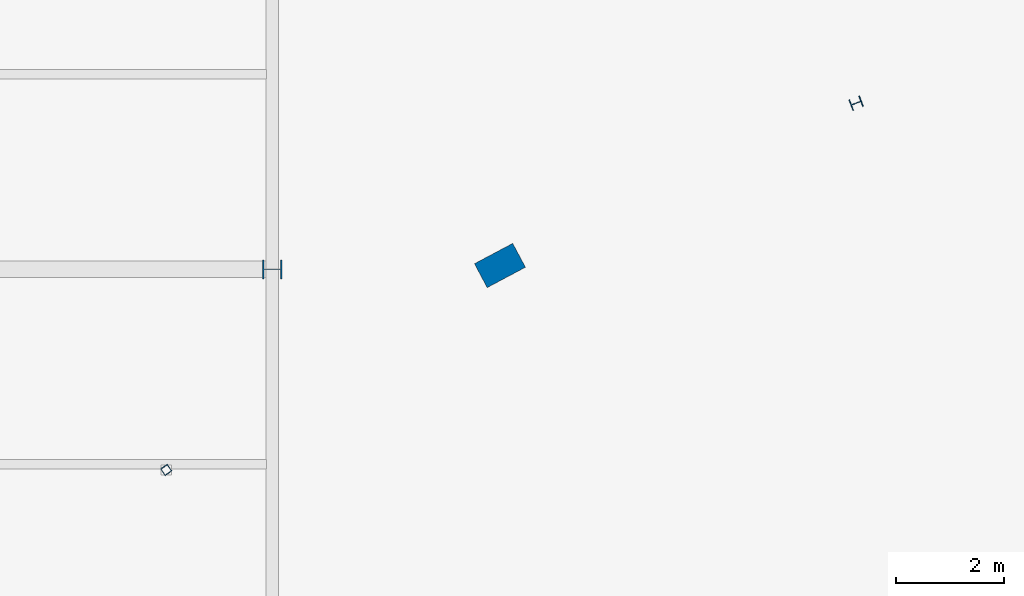
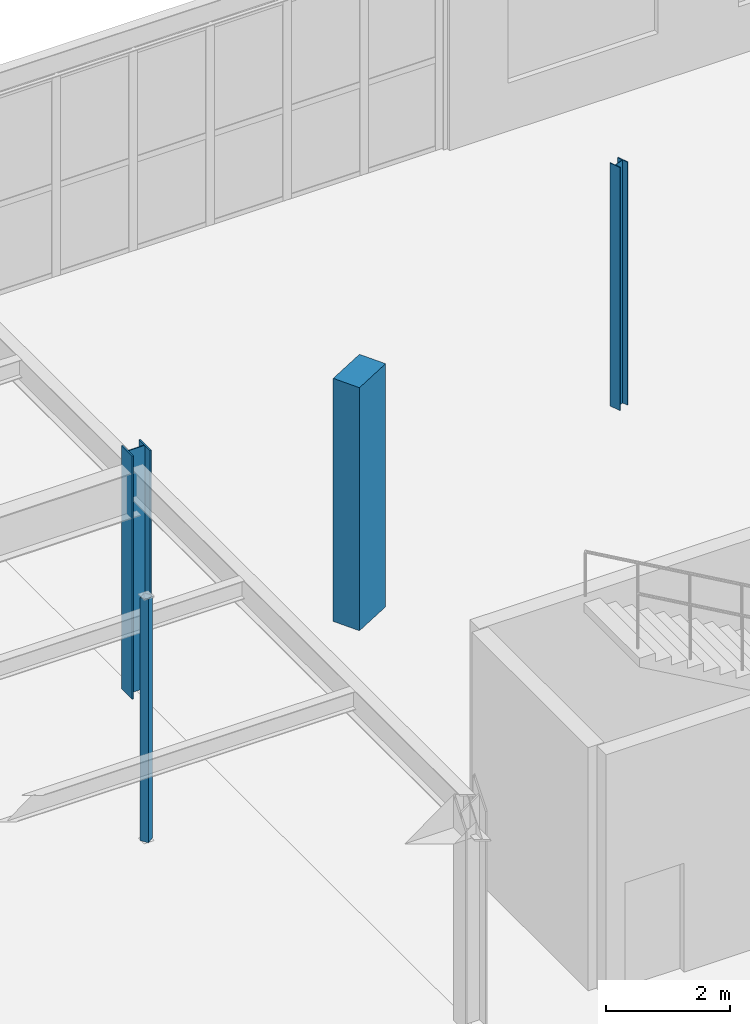
# One storey, part 32 of 199: 4 columns.
"""IFC4 building model written with IfcOpenShell, lengths in metres."""

import ifcopenshell
import ifcopenshell.guid

model = None  # the IFC model being written
_history = None  # IfcOwnerHistory: only IFC2X3 demands one
_inside = {}  # id of a spatial element -> (the spatial element, [elements in it])
_under = {}  # id of a project, library or spatial element -> (it, [spatial elements below it])
_declared = {}  # id of a project -> (the project, [libraries it declares])
_typed = {}  # id of a type object -> (the type object, [elements of that type])
_made_of = {}  # id of a material, layer set ... -> (it, [elements and type objects made of it])


def new_model(schema):
    """Start an empty IFC model of exactly this schema.

    Asked for "IFC4X3", IfcOpenShell would pick the latest addendum, in which some entities
    have other attributes; the version numbers below select the first issue.
    IFC2X3 requires an IfcOwnerHistory on every rooted entity: one is made here for all.
    """
    global model, _history
    if schema == "IFC4X3":
        model = ifcopenshell.file(schema_version=(4, 3, 0, 0))
    else:
        model = ifcopenshell.file(schema=schema)
    _inside.clear()
    _under.clear()
    _declared.clear()
    _typed.clear()
    _made_of.clear()
    _history = None
    if model.schema == "IFC2X3":
        org = make("IfcOrganization", Name="unknown")
        user = make(
            "IfcPersonAndOrganization",
            ThePerson=make("IfcPerson", FamilyName="unknown"),
            TheOrganization=org,
        )
        app = make(
            "IfcApplication",
            ApplicationDeveloper=org,
            Version="unknown",
            ApplicationFullName="unknown",
            ApplicationIdentifier="unknown",
        )
        _history = make(
            "IfcOwnerHistory",
            OwningUser=user,
            OwningApplication=app,
            ChangeAction="ADDED",
            CreationDate=0,
        )
    return model


def make(cls, **values):
    """One entity of the class cls with the attributes given. An attribute that is None is left unset."""
    return model.create_entity(
        cls, **{name: value for name, value in values.items() if value is not None}
    )


def rooted(cls, **values):
    """An entity with a GlobalId (a new one), such as an element, a storey or a relation."""
    return make(cls, GlobalId=ifcopenshell.guid.new(), OwnerHistory=_history, **values)


def si_unit(unit_type, name, prefix=None):
    """IfcSIUnit, for example si_unit("LENGTHUNIT", "METRE", prefix="MILLI")."""
    return make("IfcSIUnit", UnitType=unit_type, Prefix=prefix, Name=name)


def assignment(units):
    """IfcUnitAssignment: the units of a project."""
    return None if units is None else make("IfcUnitAssignment", Units=units)


def point(xyz):
    """IfcCartesianPoint."""
    return None if xyz is None else make("IfcCartesianPoint", Coordinates=xyz)


def direction(xyz):
    """IfcDirection."""
    return None if xyz is None else make("IfcDirection", DirectionRatios=xyz)


def frame(location, z_axis=None, x_axis=None):
    """IfcAxis2Placement3D, a coordinate frame: its origin and axes. An axis left out is left unset."""
    return make(
        "IfcAxis2Placement3D",
        Location=point(location),
        Axis=direction(z_axis),
        RefDirection=direction(x_axis),
    )


def frame_2d(location, x_axis=None):
    """IfcAxis2Placement2D, a coordinate frame in the plane: its origin and x axis."""
    return make(
        "IfcAxis2Placement2D", Location=point(location), RefDirection=direction(x_axis)
    )


def origin():
    """The frame at (0, 0, 0) with its axes left unset."""
    return frame((0.0, 0.0, 0.0))


def origin_2d():
    """The frame at (0, 0) in the plane with its x axis left unset."""
    return frame_2d((0.0, 0.0))


def place(relative_to, where):
    """IfcLocalPlacement: puts the frame where relative to a parent placement (None: the world)."""
    return make(
        "IfcLocalPlacement", PlacementRelTo=relative_to, RelativePlacement=where
    )


def context(
    kind, dimensions, precision=None, world=None, true_north=None, identifier=None
):
    """IfcGeometricRepresentationContext, for example the 3D "Model" context."""
    return make(
        "IfcGeometricRepresentationContext",
        ContextIdentifier=identifier,
        ContextType=kind,
        CoordinateSpaceDimension=dimensions,
        Precision=precision,
        WorldCoordinateSystem=world,
        TrueNorth=true_north,
    )


def subcontext(parent, identifier, kind, view, scale=None):
    """IfcGeometricRepresentationSubContext, for example "Body" below "Model"."""
    return make(
        "IfcGeometricRepresentationSubContext",
        ContextIdentifier=identifier,
        ContextType=kind,
        ParentContext=parent,
        TargetScale=scale,
        TargetView=view,
    )


def project(units=None, contexts=None):
    """IfcProject with its units and contexts."""
    return rooted(
        "IfcProject",
        Name="project",
        RepresentationContexts=contexts,
        UnitsInContext=assignment(units),
    )


def spatial(cls, under=None, at=None, **own):
    """A site, building, storey or space (cls), placed at a placement, below another one or the project."""
    s = rooted(cls, ObjectPlacement=at, **own)
    if under is not None:
        _under.setdefault(under.id(), (under, []))[1].append(s)
    return s


def profile(cls, at=None, kind="AREA", **sizes):
    """A parametric profile (cls). Its sizes go by their IFC names, for example OverallWidth=200.0."""
    return make(cls, ProfileType=kind, Position=at, **sizes)


def rectangle(**sizes):
    """IfcRectangleProfileDef."""
    return profile("IfcRectangleProfileDef", **sizes)


def hollow_rectangle(**sizes):
    """IfcRectangleHollowProfileDef."""
    return profile("IfcRectangleHollowProfileDef", **sizes)


def i_section(**sizes):
    """IfcIShapeProfileDef."""
    return profile("IfcIShapeProfileDef", **sizes)


def extrude(swept, where, along, depth):
    """IfcExtrudedAreaSolid: the profile swept, set in the frame where, extruded along a direction by depth."""
    return make(
        "IfcExtrudedAreaSolid",
        SweptArea=swept,
        Position=where,
        ExtrudedDirection=direction(along),
        Depth=depth,
    )


def shape(context_of_items, identifier, shape_type, items):
    """IfcShapeRepresentation: the items that make up one representation, for example the "Body"."""
    return make(
        "IfcShapeRepresentation",
        ContextOfItems=context_of_items,
        RepresentationIdentifier=identifier,
        RepresentationType=shape_type,
        Items=items,
    )


def material(Name=None, Category=None):
    """IfcMaterial."""
    return make("IfcMaterial", Name=Name, Category=Category)


def material_profile(
    of_material, cross_section, Name=None, Category=None, Priority=None
):
    """IfcMaterialProfile: a cross section and its material."""
    return make(
        "IfcMaterialProfile",
        Name=Name,
        Material=of_material,
        Profile=cross_section,
        Priority=Priority,
        Category=Category,
    )


def profile_set(profiles, Name=None, composite=None):
    """IfcMaterialProfileSet."""
    return make(
        "IfcMaterialProfileSet",
        Name=Name,
        MaterialProfiles=profiles,
        CompositeProfile=composite,
    )


def made_of(thing, what):
    """Note that an element or type object is made of a material, layer set ...; save() writes the relation."""
    if what is not None:
        _made_of.setdefault(what.id(), (what, []))[1].append(thing)
    return thing


def type_object(cls, material=None, **own):
    """A type object (cls), such as IfcWallType, which elements share."""
    return made_of(rooted(cls, **own), material)


def element(
    cls,
    number,
    at=None,
    inside=None,
    cuts=None,
    type_object=None,
    material=None,
    context=None,
    identifier="Body",
    shape_type=None,
    held_by="IfcProductDefinitionShape",
    body=None,
    shapes=None,
    **own,
):
    """One element of the class cls, such as IfcWall. Its Tag is "e" and its number.

    at: its placement. inside: the storey or other place that contains it. cuts: it is an
    opening in that element (IfcRelVoidsElement). A single representation is given by context,
    identifier, shape_type and body (its items); several are given by shapes. held_by: the class
    of the entity that holds the representations. save() writes the other relations.
    """
    e = rooted(cls, Tag="e%d" % number, ObjectPlacement=at, **own)
    if body is not None:
        shapes = [shape(context, identifier, shape_type, body)]
    if shapes is not None:
        e.Representation = make(held_by, Representations=shapes)
    if inside is not None:
        _inside.setdefault(inside.id(), (inside, []))[1].append(e)
    if cuts is not None:
        rooted(
            "IfcRelVoidsElement", RelatingBuildingElement=cuts, RelatedOpeningElement=e
        )
    if type_object is not None:
        _typed.setdefault(type_object.id(), (type_object, []))[1].append(e)
    return made_of(e, material)


def aggregate(whole, parts):
    """IfcRelAggregates: a whole, such as a stair, and the parts it consists of."""
    return rooted("IfcRelAggregates", RelatingObject=whole, RelatedObjects=parts)


def save(model, path):
    """Write the relations noted so far, then the file.

    IfcRelAggregates (storeys below a building ...), IfcRelContainedInSpatialStructure (elements
    in a storey), IfcRelDefinesByType, IfcRelAssociatesMaterial and IfcRelDeclares: one each for
    every whole, place, type object, material and project.
    """
    for whole, parts in _under.values():
        aggregate(whole, parts)
    for where, things in _inside.values():
        rooted(
            "IfcRelContainedInSpatialStructure",
            RelatedElements=things,
            RelatingStructure=where,
        )
    for kind, things in _typed.values():
        rooted("IfcRelDefinesByType", RelatedObjects=things, RelatingType=kind)
    for what, things in _made_of.values():
        rooted("IfcRelAssociatesMaterial", RelatedObjects=things, RelatingMaterial=what)
    for by, libraries in _declared.values():
        rooted("IfcRelDeclares", RelatingContext=by, RelatedDefinitions=libraries)
    model.write(path)


model = new_model("IFC4")

# Units and contexts
model_context = context("Model", 3, precision=1e-05, world=origin(), true_north=direction((0.0, 1.0)))
body_context = subcontext(model_context, "Body", "Model", "MODEL_VIEW")
ifc_project = project(units=[si_unit("LENGTHUNIT", "METRE"), si_unit("AREAUNIT", "SQUARE_METRE"), si_unit("VOLUMEUNIT", "CUBIC_METRE"), si_unit("PLANEANGLEUNIT", "RADIAN"), si_unit("MASSUNIT", "GRAM", prefix="KILO")], contexts=[model_context])

# Site, building, storey
site_placement = place(None, origin())
site = spatial("IfcSite", under=ifc_project, at=site_placement, CompositionType="ELEMENT")
building_placement = place(site_placement, origin())
building = spatial("IfcBuilding", under=site, at=building_placement, Name="Tarnwether General Hospital", CompositionType="ELEMENT")
storey_placement = place(building_placement, origin())
storey = spatial("IfcBuildingStorey", under=building, at=storey_placement, Name="L00", CompositionType="ELEMENT", Elevation=0.0)

# Columns
ifc_material_1 = material(Name="Steel Grade 350 (350 MPa)", Category="steel")
ifc_material_profile_1 = material_profile(ifc_material_1, i_section(OverallWidth=0.35009765625, OverallDepth=0.360107421875, WebThickness=0.01611328125, FlangeThickness=0.028076171875, at=origin_2d()), Name="350WC230")
ifc_profile_set_1 = profile_set([ifc_material_profile_1], Name="Steel Grade 350 (350 MPa)")
column_type_1 = type_object("IfcColumnType", Name="COL-03", PredefinedType="COLUMN", material=ifc_profile_set_1)
column_1_placement = place(storey_placement, frame((60.0, 115.199951171875, 0.0), z_axis=(0.0, 0.0, 1.0), x_axis=(0.0, 1.0, 0.0)))
element("IfcColumn", 1, at=column_1_placement, inside=storey, type_object=column_type_1, Name="Column COLG-L00-6000_11520", PredefinedType="COLUMN", context=body_context, shape_type="SweptSolid", body=[
    extrude(i_section(OverallWidth=0.35009765625, OverallDepth=0.360107421875, WebThickness=0.01611328125, FlangeThickness=0.028076171875, at=origin_2d()), origin(), (0.0, 0.0, 1.0), 4.800048828125),
])
ifc_material_2 = material(Name="Concrete 50 MPa", Category="concrete")
ifc_material_profile_2 = material_profile(ifc_material_2, rectangle(XDim=0.5, YDim=0.800048828125, at=origin_2d()), Name="RC-PIL-500x800")
ifc_profile_set_2 = profile_set([ifc_material_profile_2], Name="Concrete 50 MPa")
column_type_2 = type_object("IfcColumnType", Name="COL-23", PredefinedType="PILASTER", material=ifc_profile_set_2)
column_2_placement = place(storey_placement, frame((64.20703125, 115.27001953125, 0.0), z_axis=(0.0, 0.0, 1.0), x_axis=(-0.469471562786, 0.882947592859, 0.0)))
element("IfcColumn", 2, at=column_2_placement, inside=storey, type_object=column_type_2, Name="Column COLG-L00-6421_11527", PredefinedType="PILASTER", context=body_context, shape_type="SweptSolid", body=[
    extrude(rectangle(XDim=0.5, YDim=0.800048828125, at=origin_2d()), origin(), (0.0, 0.0, 1.0), 4.800048828125),
])
ifc_material_3 = material(Name="Steel Grade 350 (350 MPa)", Category="steel")
ifc_material_profile_3 = material_profile(ifc_material_3, i_section(OverallWidth=0.205078125, OverallDepth=0.2099609375, WebThickness=0.00927734375, FlangeThickness=0.01416015625, at=origin_2d()), Name="200UC59.5")
ifc_profile_set_3 = profile_set([ifc_material_profile_3], Name="Steel Grade 350 (350 MPa)")
column_type_3 = type_object("IfcColumnType", Name="COL-25", PredefinedType="COLUMN", material=ifc_profile_set_3)
column_3_placement = place(storey_placement, frame((70.784912109375, 118.26806640625, 0.0), z_axis=(0.0, 0.0, 1.0), x_axis=(-0.358367949545, 0.933580426497, 0.0)))
element("IfcColumn", 3, at=column_3_placement, inside=storey, type_object=column_type_3, Name="Column COLG-L00-7078_11827", PredefinedType="COLUMN", context=body_context, shape_type="SweptSolid", body=[
    extrude(i_section(OverallWidth=0.205078125, OverallDepth=0.2099609375, WebThickness=0.00927734375, FlangeThickness=0.01416015625, at=origin_2d()), origin(), (0.0, 0.0, 1.0), 4.800048828125),
])
ifc_material_4 = material(Name="Steel Grade C350L0 (350 MPa)", Category="steel")
ifc_material_profile_4 = material_profile(ifc_material_4, hollow_rectangle(XDim=0.14990234375, YDim=0.14990234375, WallThickness=0.008056640625, at=origin_2d()), Name="SHS150x150x8")
ifc_profile_set_4 = profile_set([ifc_material_profile_4], Name="Steel Grade C350L0 (350 MPa)")
column_type_4 = type_object("IfcColumnType", Name="COL-33", PredefinedType="COLUMN", material=ifc_profile_set_4)
column_4_placement = place(storey_placement, frame((58.0439453125, 111.493896484375, 0.0), z_axis=(0.0, 0.0, 1.0), x_axis=(-0.573576436351, 0.819152044289, 0.0)))
element("IfcColumn", 4, at=column_4_placement, inside=storey, type_object=column_type_4, Name="Column COLG-L00-5804_11149", PredefinedType="COLUMN", context=body_context, shape_type="SweptSolid", body=[
    extrude(hollow_rectangle(XDim=0.14990234375, YDim=0.14990234375, WallThickness=0.008056640625, at=origin_2d()), origin(), (0.0, 0.0, 1.0), 4.800048828125),
])

save(model, "model.ifc")
